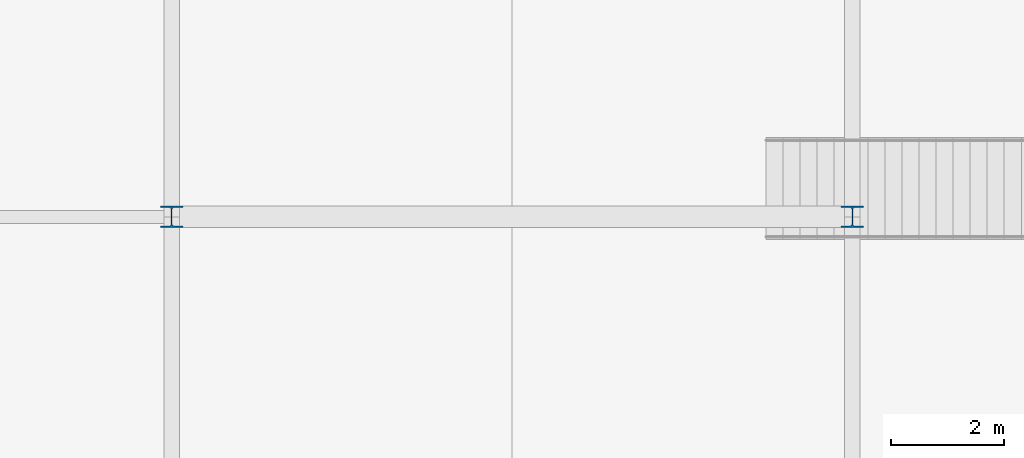
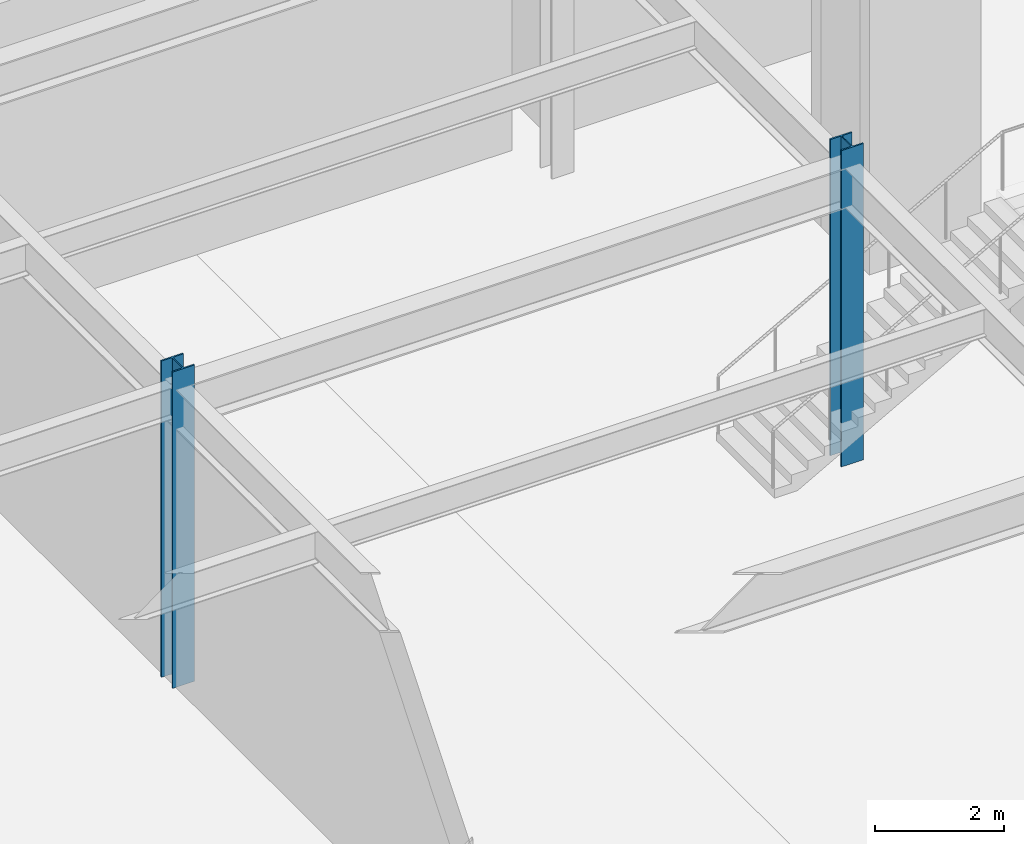
# One storey, part 6 of 108: 2 columns.
"""IFC4 building model written with IfcOpenShell, lengths in metres."""

from ifc_helpers import new_model, si_unit, direction, frame, origin, origin_2d, place, context, subcontext, project, spatial, i_section, extrude, material, material_profile, profile_set, type_object, element, save


model = new_model("IFC4")

# Units and contexts
model_context = context("Model", 3, precision=1e-05, world=origin(), true_north=direction((0.0, 1.0)))
body_context = subcontext(model_context, "Body", "Model", "MODEL_VIEW")
ifc_project = project(units=[si_unit("LENGTHUNIT", "METRE"), si_unit("AREAUNIT", "SQUARE_METRE"), si_unit("VOLUMEUNIT", "CUBIC_METRE"), si_unit("PLANEANGLEUNIT", "RADIAN"), si_unit("MASSUNIT", "GRAM", prefix="KILO")], contexts=[model_context])

# Site, building, storey
site_placement = place(None, origin())
site = spatial("IfcSite", under=ifc_project, at=site_placement, CompositionType="ELEMENT")
building_placement = place(site_placement, origin())
building = spatial("IfcBuilding", under=site, at=building_placement, Name="Kaldorvane Square Convention Centre", CompositionType="ELEMENT")
storey_placement = place(building_placement, frame((0.0, 0.0, 12.0)))
storey = spatial("IfcBuildingStorey", under=building, at=storey_placement, Name="L02", CompositionType="ELEMENT", Elevation=12.0)

# Columns
ifc_material = material(Name="Steel ASTM A992 Gr. 50", Category="steel")
ifc_material_profile = material_profile(ifc_material, i_section(OverallWidth=0.393707275390625, OverallDepth=0.375396728515625, WebThickness=0.017303466796875, FlangeThickness=0.0276947021484375, FilletRadius=0.0305023193359375, at=origin_2d()), Name="W14X145")
ifc_profile_set = profile_set([ifc_material_profile], Name="Steel ASTM A992 Gr. 50")
column_type = type_object("IfcColumnType", Name="COL-STL-145", PredefinedType="COLUMN", material=ifc_profile_set)
for number, where, z_axis, x_axis, name in (
    (1, (114.0, 63.0, 0.0), (0.0, 0.0, 1.0), (1.0, 0.0, 0.0), "Column SC-10 (L02)"),
    (2, (126.0, 63.0, 0.0), (0.0, 0.0, 1.0), (1.0, 0.0, 0.0), "Column SC-10 (L02)"),
):
    element("IfcColumn", number, at=place(storey_placement, frame(where, z_axis=z_axis, x_axis=x_axis)), inside=storey, type_object=column_type, Name=name, PredefinedType="COLUMN", context=body_context, shape_type="SweptSolid", body=[
        extrude(i_section(OverallWidth=0.393707275390625, OverallDepth=0.375396728515625, WebThickness=0.017303466796875, FlangeThickness=0.0276947021484375, FilletRadius=0.0305023193359375, at=origin_2d()), origin(), (0.0, 0.0, 1.0), 6.0),
    ])

save(model, "model.ifc")
